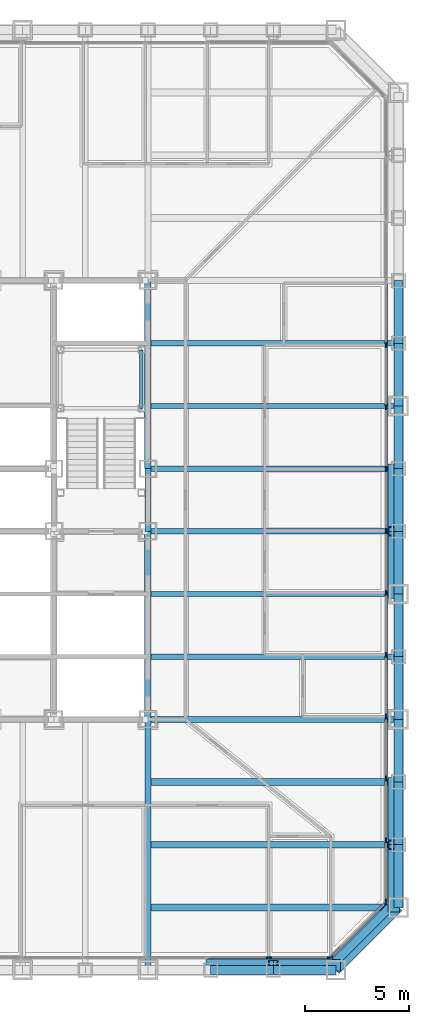
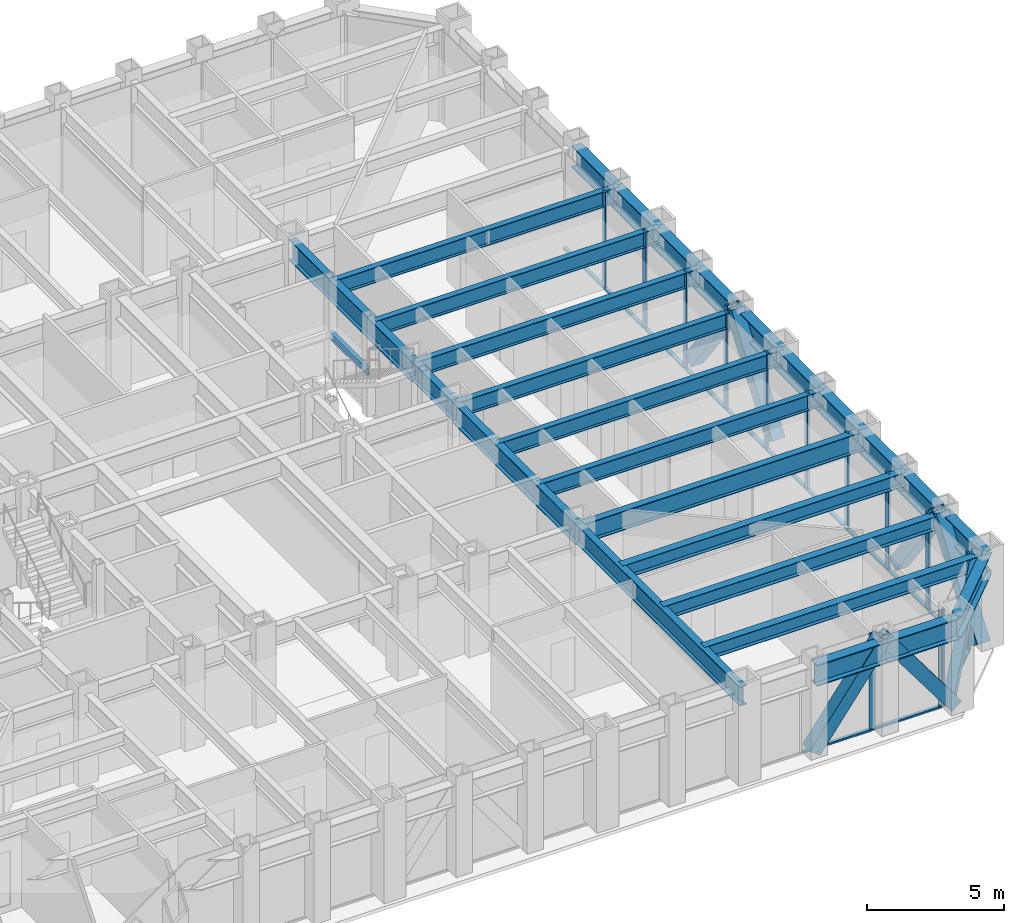
# One storey, part 4 of 17: 34 members, 28 beams, 3 elements without a shape of their own.
"""IFC4 building model written with IfcOpenShell, lengths in metres."""

from ifc_helpers import new_model, si_unit, direction, frame, origin, origin_2d, place, context, subcontext, project, spatial, rectangle, hollow_rectangle, i_section, extrude, material, layer, layer_set, material_profile, profile_set, type_object, element, aggregate, save


model = new_model("IFC4")

# Units and contexts
model_context = context("Model", 3, precision=1e-05, world=origin(), true_north=direction((0.0, 1.0)))
body_context = subcontext(model_context, "Body", "Model", "MODEL_VIEW")
ifc_project = project(units=[si_unit("LENGTHUNIT", "METRE"), si_unit("AREAUNIT", "SQUARE_METRE"), si_unit("VOLUMEUNIT", "CUBIC_METRE"), si_unit("PLANEANGLEUNIT", "RADIAN"), si_unit("MASSUNIT", "GRAM", prefix="KILO")], contexts=[model_context])

# Site, building, storey
site_placement = place(None, origin())
site = spatial("IfcSite", under=ifc_project, at=site_placement, CompositionType="ELEMENT")
building_placement = place(site_placement, origin())
building = spatial("IfcBuilding", under=site, at=building_placement, Name="Chuquiago Exchange Tower", CompositionType="ELEMENT")
storey_placement = place(building_placement, frame((0.0, 0.0, 37.800048828125)))
storey = spatial("IfcBuildingStorey", under=building, at=storey_placement, Name="L07", CompositionType="ELEMENT", Elevation=37.800048828125)

# Beams
ifc_material_1 = material(Name="Steel ASTM A992", Category="steel")
ifc_material_profile_1 = material_profile(ifc_material_1, i_section(OverallWidth=0.307373046875, OverallDepth=0.927001953125, WebThickness=0.01953125, FlangeThickness=0.031982421875, at=origin_2d()), Name="W36X194")
ifc_profile_set_1 = profile_set([ifc_material_profile_1], Name="Steel ASTM A992")
beam_type_1 = type_object("IfcBeamType", Name="B10 W36X194", PredefinedType="BEAM", material=ifc_profile_set_1)
for number, where, z_axis, x_axis, name in (
    (1, (33.0, 12.0, 3.576416015625), (0.0, 1.0, 0.0), (-1.0, 0.0, 0.0), "CB-L08-33_12-33_21"),
    (2, (33.0, 24.0, 3.576416015625), (0.0, 1.0, 0.0), (-1.0, 0.0, 0.0), "CB-L08-33_24-33_33"),
):
    element("IfcBeam", number, at=place(storey_placement, frame(where, z_axis=z_axis, x_axis=x_axis)), inside=storey, type_object=beam_type_1, Name=name, PredefinedType="BEAM", context=body_context, shape_type="SweptSolid", body=[
        extrude(i_section(OverallWidth=0.307373046875, OverallDepth=0.927001953125, WebThickness=0.01953125, FlangeThickness=0.031982421875, at=origin_2d()), origin(), (0.0, 0.0, 1.0), 9.0),
    ])
ifc_material_2 = material(Name="Steel ASTM A992", Category="steel")
ifc_material_profile_2 = material_profile(ifc_material_2, i_section(OverallWidth=0.2919921875, OverallDepth=0.8583984375, WebThickness=0.01708984375, FlangeThickness=0.031005859375, at=origin_2d()), Name="W33X169")
ifc_profile_set_2 = profile_set([ifc_material_profile_2], Name="Steel ASTM A992")
beam_type_2 = type_object("IfcBeamType", Name="B3 W33X169", PredefinedType="BEAM", material=ifc_profile_set_2)
beam_1_placement = place(storey_placement, frame((33.0, 21.0, 3.610595703125), z_axis=(0.0, 1.0, 0.0), x_axis=(-1.0, 0.0, 0.0)))
element("IfcBeam", 3, at=beam_1_placement, inside=storey, type_object=beam_type_2, Name="CB-L08-33_21-33_24", PredefinedType="BEAM", context=body_context, shape_type="SweptSolid", body=[
    extrude(i_section(OverallWidth=0.2919921875, OverallDepth=0.8583984375, WebThickness=0.01708984375, FlangeThickness=0.031005859375, at=origin_2d()), origin(), (0.0, 0.0, 1.0), 3.0),
])
ifc_material_3 = material(Name="Steel ASTM A992", Category="steel")
ifc_material_profile_3 = material_profile(ifc_material_3, i_section(OverallWidth=0.256591796875, OverallDepth=0.693359375, WebThickness=0.014404296875, FlangeThickness=0.023681640625, at=origin_2d()), Name="W27X114")
ifc_profile_set_3 = profile_set([ifc_material_profile_3], Name="Steel ASTM A992")
beam_type_3 = type_object("IfcBeamType", Name="B4 W27X114", PredefinedType="BEAM", material=ifc_profile_set_3)
for number, where, z_axis, x_axis, name in (
    (4, (33.0, 15.0, 3.693359375), (1.0, 0.0, 0.0), (0.0, 1.0, 0.0), "FB-L08-infill-33_15-45_15-0"),
    (5, (33.0, 18.0, 3.693359375), (1.0, 0.0, 0.0), (0.0, 1.0, 0.0), "FB-L08-infill-33_18-45_18-0"),
    (6, (33.0, 21.0, 3.693359375), (1.0, 0.0, 0.0), (0.0, 1.0, 0.0), "FB-L08-infill-33_21-45_21-0"),
    (7, (33.0, 24.0, 3.693359375), (1.0, 0.0, 0.0), (0.0, 1.0, 0.0), "FB-L08-infill-33_24-45_24-0"),
    (8, (33.0, 27.0, 3.693359375), (1.0, 0.0, 0.0), (0.0, 1.0, 0.0), "FB-L08-infill-33_27-45_27-0"),
    (9, (33.0, 30.0, 3.693359375), (1.0, 0.0, 0.0), (0.0, 1.0, 0.0), "FB-L08-infill-33_30-45_30-0"),
):
    element("IfcBeam", number, at=place(storey_placement, frame(where, z_axis=z_axis, x_axis=x_axis)), inside=storey, type_object=beam_type_3, Name=name, PredefinedType="BEAM", context=body_context, shape_type="SweptSolid", body=[
        extrude(i_section(OverallWidth=0.256591796875, OverallDepth=0.693359375, WebThickness=0.014404296875, FlangeThickness=0.023681640625, at=origin_2d()), origin(), (0.0, 0.0, 1.0), 12.0),
    ])
ifc_material_4 = material(Name="Steel ASTM A992", Category="steel")
ifc_material_profile_4 = material_profile(ifc_material_4, i_section(OverallWidth=0.3251953125, OverallDepth=0.6171875, WebThickness=0.013916015625, FlangeThickness=0.021484375, at=origin_2d()), Name="W24X117")
ifc_profile_set_4 = profile_set([ifc_material_profile_4], Name="Steel ASTM A992")
beam_type_4 = type_object("IfcBeamType", Name="B5 W24X117", PredefinedType="BEAM", material=ifc_profile_set_4)
for number, where, z_axis, x_axis, name in (
    (10, (33.0, 3.0, 3.7314453125), (1.0, 0.0, 0.0), (0.0, 1.0, 0.0), "FB-L08-corner-33_3-45_3-0"),
    (11, (33.0, 6.0, 3.7314453125), (1.0, 0.0, 0.0), (0.0, 1.0, 0.0), "FB-L08-corner-33_6-45_6-0"),
    (12, (33.0, 9.0, 3.7314453125), (1.0, 0.0, 0.0), (0.0, 1.0, 0.0), "FB-L08-corner-33_9-45_9-0"),
):
    element("IfcBeam", number, at=place(storey_placement, frame(where, z_axis=z_axis, x_axis=x_axis)), inside=storey, type_object=beam_type_4, Name=name, PredefinedType="BEAM", context=body_context, shape_type="SweptSolid", body=[
        extrude(i_section(OverallWidth=0.3251953125, OverallDepth=0.6171875, WebThickness=0.013916015625, FlangeThickness=0.021484375, at=origin_2d()), origin(), (0.0, 0.0, 1.0), 12.0),
    ])

# Curtain wall, members
ifc_material_5 = material(Name="Aluminium curtain wall system", Category="aluminium")
ifc_layer_1 = layer(ifc_material_5, 0.25)
ifc_layer_set_1 = layer_set([ifc_layer_1], Name="CW1 trading floor curtain wall")
curtain_wall_type_1 = type_object("IfcCurtainWallType", Name="CW1 trading floor curtain wall", PredefinedType="NOTDEFINED", material=ifc_layer_set_1)
curtain_wall_1_placement = place(storey_placement, origin())
curtain_wall_1 = element("IfcCurtainWall", 13, at=curtain_wall_1_placement, inside=storey, type_object=curtain_wall_type_1, Name="CW1 curtain wall L07", PredefinedType="NOTDEFINED")
ifc_material_6 = material(Name="Aluminium mullion, pale anodised", Category="aluminium")
ifc_material_profile_5 = material_profile(ifc_material_6, rectangle(XDim=0.074951171875, YDim=0.25, at=origin_2d()), Name="AL 75x250")
ifc_profile_set_5 = profile_set([ifc_material_profile_5], Name="Aluminium mullion, pale anodised")
member_type_1 = type_object("IfcMemberType", Name="CW1-M mullion 75x250", PredefinedType="MULLION", material=ifc_profile_set_5)
member_1_placement = place(storey_placement, frame((38.789794921875, 0.60009765625, -0.300048828125), z_axis=(0.0, 0.0, 1.0), x_axis=(0.0, 1.0, 0.0)))
member_1 = element("IfcMember", 14, at=member_1_placement, type_object=member_type_1, Name="CW1 mullion 13", PredefinedType="MULLION", context=body_context, shape_type="SweptSolid", body=[
    extrude(rectangle(XDim=0.074951171875, YDim=0.25, at=origin_2d()), origin(), (0.0, 0.0, 1.0), 4.340087890625),
])
member_2_placement = place(storey_placement, frame((41.714111328125, 0.60009765625, -0.300048828125), z_axis=(0.0, 0.0, 1.0), x_axis=(0.0, 1.0, 0.0)))
member_2 = element("IfcMember", 15, at=member_2_placement, type_object=member_type_1, Name="CW1 mullion 14", PredefinedType="MULLION", context=body_context, shape_type="SweptSolid", body=[
    extrude(rectangle(XDim=0.074951171875, YDim=0.25, at=origin_2d()), origin(), (0.0, 0.0, 1.0), 4.340087890625),
])

curtain_wall_2_placement = place(storey_placement, origin())
curtain_wall_2 = element("IfcCurtainWall", 16, at=curtain_wall_2_placement, inside=storey, type_object=curtain_wall_type_1, Name="CW1 curtain wall L07", PredefinedType="NOTDEFINED")
member_3_placement = place(storey_placement, frame((44.39990234375, 3.285888671875, -0.300048828125), z_axis=(0.0, 0.0, 1.0), x_axis=(-1.0, 0.0, 0.0)))
member_3 = element("IfcMember", 17, at=member_3_placement, type_object=member_type_1, Name="CW1 mullion 1", PredefinedType="MULLION", context=body_context, shape_type="SweptSolid", body=[
    extrude(rectangle(XDim=0.074951171875, YDim=0.25, at=origin_2d()), origin(), (0.0, 0.0, 1.0), 4.340087890625),
])
member_4_placement = place(storey_placement, frame((44.39990234375, 6.210205078125, -0.300048828125), z_axis=(0.0, 0.0, 1.0), x_axis=(-1.0, 0.0, 0.0)))
member_4 = element("IfcMember", 18, at=member_4_placement, type_object=member_type_1, Name="CW1 mullion 2", PredefinedType="MULLION", context=body_context, shape_type="SweptSolid", body=[
    extrude(rectangle(XDim=0.074951171875, YDim=0.25, at=origin_2d()), origin(), (0.0, 0.0, 1.0), 4.340087890625),
])
member_5_placement = place(storey_placement, frame((44.39990234375, 9.172119140625, -0.300048828125), z_axis=(0.0, 0.0, 1.0), x_axis=(-1.0, 0.0, 0.0)))
member_5 = element("IfcMember", 19, at=member_5_placement, type_object=member_type_1, Name="CW1 mullion 3", PredefinedType="MULLION", context=body_context, shape_type="SweptSolid", body=[
    extrude(rectangle(XDim=0.074951171875, YDim=0.25, at=origin_2d()), origin(), (0.0, 0.0, 1.0), 4.340087890625),
])
member_6_placement = place(storey_placement, frame((44.39990234375, 12.1337890625, -0.300048828125), z_axis=(0.0, 0.0, 1.0), x_axis=(-1.0, 0.0, 0.0)))
member_6 = element("IfcMember", 20, at=member_6_placement, type_object=member_type_1, Name="CW1 mullion 4", PredefinedType="MULLION", context=body_context, shape_type="SweptSolid", body=[
    extrude(rectangle(XDim=0.074951171875, YDim=0.25, at=origin_2d()), origin(), (0.0, 0.0, 1.0), 4.340087890625),
])
member_7_placement = place(storey_placement, frame((44.39990234375, 15.095458984375, -0.300048828125), z_axis=(0.0, 0.0, 1.0), x_axis=(-1.0, 0.0, 0.0)))
member_7 = element("IfcMember", 21, at=member_7_placement, type_object=member_type_1, Name="CW1 mullion 5", PredefinedType="MULLION", context=body_context, shape_type="SweptSolid", body=[
    extrude(rectangle(XDim=0.074951171875, YDim=0.25, at=origin_2d()), origin(), (0.0, 0.0, 1.0), 4.340087890625),
])
member_8_placement = place(storey_placement, frame((44.39990234375, 18.057373046875, -0.300048828125), z_axis=(0.0, 0.0, 1.0), x_axis=(-1.0, 0.0, 0.0)))
member_8 = element("IfcMember", 22, at=member_8_placement, type_object=member_type_1, Name="CW1 mullion 6", PredefinedType="MULLION", context=body_context, shape_type="SweptSolid", body=[
    extrude(rectangle(XDim=0.074951171875, YDim=0.25, at=origin_2d()), origin(), (0.0, 0.0, 1.0), 4.340087890625),
])
member_9_placement = place(storey_placement, frame((44.39990234375, 21.01904296875, -0.300048828125), z_axis=(0.0, 0.0, 1.0), x_axis=(-1.0, 0.0, 0.0)))
member_9 = element("IfcMember", 23, at=member_9_placement, type_object=member_type_1, Name="CW1 mullion 7", PredefinedType="MULLION", context=body_context, shape_type="SweptSolid", body=[
    extrude(rectangle(XDim=0.074951171875, YDim=0.25, at=origin_2d()), origin(), (0.0, 0.0, 1.0), 4.340087890625),
])
member_10_placement = place(storey_placement, frame((44.39990234375, 23.98095703125, -0.300048828125), z_axis=(0.0, 0.0, 1.0), x_axis=(-1.0, 0.0, 0.0)))
member_10 = element("IfcMember", 24, at=member_10_placement, type_object=member_type_1, Name="CW1 mullion 8", PredefinedType="MULLION", context=body_context, shape_type="SweptSolid", body=[
    extrude(rectangle(XDim=0.074951171875, YDim=0.25, at=origin_2d()), origin(), (0.0, 0.0, 1.0), 4.340087890625),
])
member_11_placement = place(storey_placement, frame((44.39990234375, 26.942626953125, -0.300048828125), z_axis=(0.0, 0.0, 1.0), x_axis=(-1.0, 0.0, 0.0)))
member_11 = element("IfcMember", 25, at=member_11_placement, type_object=member_type_1, Name="CW1 mullion 9", PredefinedType="MULLION", context=body_context, shape_type="SweptSolid", body=[
    extrude(rectangle(XDim=0.074951171875, YDim=0.25, at=origin_2d()), origin(), (0.0, 0.0, 1.0), 4.340087890625),
])
member_12_placement = place(storey_placement, frame((44.39990234375, 29.904541015625, -0.300048828125), z_axis=(0.0, 0.0, 1.0), x_axis=(-1.0, 0.0, 0.0)))
member_12 = element("IfcMember", 26, at=member_12_placement, type_object=member_type_1, Name="CW1 mullion 10", PredefinedType="MULLION", context=body_context, shape_type="SweptSolid", body=[
    extrude(rectangle(XDim=0.074951171875, YDim=0.25, at=origin_2d()), origin(), (0.0, 0.0, 1.0), 4.340087890625),
])

# Member
ifc_material_7 = material(Name="Aluminium transom, pale anodised", Category="aluminium")
ifc_material_profile_6 = material_profile(ifc_material_7, rectangle(XDim=0.14990234375, YDim=0.074951171875, at=origin_2d()), Name="AL 150x75")
ifc_profile_set_6 = profile_set([ifc_material_profile_6], Name="Aluminium transom, pale anodised")
member_type_2 = type_object("IfcMemberType", Name="CW1-T transom 75x150", PredefinedType="MULLION", material=ifc_profile_set_6)
member_13_placement = place(storey_placement, frame((35.865478515625, 0.60009765625, -0.262451171875), z_axis=(1.0, 0.0, 0.0), x_axis=(0.0, 1.0, 0.0)))
member_13 = element("IfcMember", 27, at=member_13_placement, type_object=member_type_2, Name="CW1 transom 12.1", PredefinedType="MULLION", context=body_context, shape_type="SweptSolid", body=[
    extrude(rectangle(XDim=0.14990234375, YDim=0.074951171875, at=origin_2d()), origin(), (0.0, 0.0, 1.0), 2.88671875),
])

member_14_placement = place(storey_placement, frame((38.8271484375, 0.60009765625, -0.262451171875), z_axis=(1.0, 0.0, 0.0), x_axis=(0.0, 1.0, 0.0)))
member_14 = element("IfcMember", 28, at=member_14_placement, type_object=member_type_2, Name="CW1 transom 13.1", PredefinedType="MULLION", context=body_context, shape_type="SweptSolid", body=[
    extrude(rectangle(XDim=0.14990234375, YDim=0.074951171875, at=origin_2d()), origin(), (0.0, 0.0, 1.0), 2.849365234375),
])

aggregate(curtain_wall_1, [member_1, member_2, member_13, member_14])

member_15_placement = place(storey_placement, frame((44.39990234375, 3.323486328125, -0.262451171875), z_axis=(0.0, 1.0, 0.0), x_axis=(-1.0, 0.0, 0.0)))
member_15 = element("IfcMember", 29, at=member_15_placement, type_object=member_type_2, Name="CW1 transom 1.1", PredefinedType="MULLION", context=body_context, shape_type="SweptSolid", body=[
    extrude(rectangle(XDim=0.14990234375, YDim=0.074951171875, at=origin_2d()), origin(), (0.0, 0.0, 1.0), 2.849365234375),
])

member_16_placement = place(storey_placement, frame((44.39990234375, 6.247802734375, -0.262451171875), z_axis=(0.0, 1.0, 0.0), x_axis=(-1.0, 0.0, 0.0)))
member_16 = element("IfcMember", 30, at=member_16_placement, type_object=member_type_2, Name="CW1 transom 2.1", PredefinedType="MULLION", context=body_context, shape_type="SweptSolid", body=[
    extrude(rectangle(XDim=0.14990234375, YDim=0.074951171875, at=origin_2d()), origin(), (0.0, 0.0, 1.0), 2.88671875),
])

member_17_placement = place(storey_placement, frame((44.39990234375, 9.20947265625, -0.262451171875), z_axis=(0.0, 1.0, 0.0), x_axis=(-1.0, 0.0, 0.0)))
member_17 = element("IfcMember", 31, at=member_17_placement, type_object=member_type_2, Name="CW1 transom 3.1", PredefinedType="MULLION", context=body_context, shape_type="SweptSolid", body=[
    extrude(rectangle(XDim=0.14990234375, YDim=0.074951171875, at=origin_2d()), origin(), (0.0, 0.0, 1.0), 2.88671875),
])

member_18_placement = place(storey_placement, frame((44.39990234375, 12.17138671875, -0.262451171875), z_axis=(0.0, 1.0, 0.0), x_axis=(-1.0, 0.0, 0.0)))
member_18 = element("IfcMember", 32, at=member_18_placement, type_object=member_type_2, Name="CW1 transom 4.1", PredefinedType="MULLION", context=body_context, shape_type="SweptSolid", body=[
    extrude(rectangle(XDim=0.14990234375, YDim=0.074951171875, at=origin_2d()), origin(), (0.0, 0.0, 1.0), 2.88671875),
])

member_19_placement = place(storey_placement, frame((44.39990234375, 15.133056640625, -0.262451171875), z_axis=(0.0, 1.0, 0.0), x_axis=(-1.0, 0.0, 0.0)))
member_19 = element("IfcMember", 33, at=member_19_placement, type_object=member_type_2, Name="CW1 transom 5.1", PredefinedType="MULLION", context=body_context, shape_type="SweptSolid", body=[
    extrude(rectangle(XDim=0.14990234375, YDim=0.074951171875, at=origin_2d()), origin(), (0.0, 0.0, 1.0), 2.88671875),
])

member_20_placement = place(storey_placement, frame((44.39990234375, 18.0947265625, -0.262451171875), z_axis=(0.0, 1.0, 0.0), x_axis=(-1.0, 0.0, 0.0)))
member_20 = element("IfcMember", 34, at=member_20_placement, type_object=member_type_2, Name="CW1 transom 6.1", PredefinedType="MULLION", context=body_context, shape_type="SweptSolid", body=[
    extrude(rectangle(XDim=0.14990234375, YDim=0.074951171875, at=origin_2d()), origin(), (0.0, 0.0, 1.0), 2.886962890625),
])

member_21_placement = place(storey_placement, frame((44.39990234375, 21.056640625, -0.262451171875), z_axis=(0.0, 1.0, 0.0), x_axis=(-1.0, 0.0, 0.0)))
member_21 = element("IfcMember", 35, at=member_21_placement, type_object=member_type_2, Name="CW1 transom 7.1", PredefinedType="MULLION", context=body_context, shape_type="SweptSolid", body=[
    extrude(rectangle(XDim=0.14990234375, YDim=0.074951171875, at=origin_2d()), origin(), (0.0, 0.0, 1.0), 2.88671875),
])

member_22_placement = place(storey_placement, frame((44.39990234375, 24.018310546875, -0.262451171875), z_axis=(0.0, 1.0, 0.0), x_axis=(-1.0, 0.0, 0.0)))
member_22 = element("IfcMember", 36, at=member_22_placement, type_object=member_type_2, Name="CW1 transom 8.1", PredefinedType="MULLION", context=body_context, shape_type="SweptSolid", body=[
    extrude(rectangle(XDim=0.14990234375, YDim=0.074951171875, at=origin_2d()), origin(), (0.0, 0.0, 1.0), 2.886962890625),
])

member_23_placement = place(storey_placement, frame((44.39990234375, 26.980224609375, -0.262451171875), z_axis=(0.0, 1.0, 0.0), x_axis=(-1.0, 0.0, 0.0)))
member_23 = element("IfcMember", 37, at=member_23_placement, type_object=member_type_2, Name="CW1 transom 9.1", PredefinedType="MULLION", context=body_context, shape_type="SweptSolid", body=[
    extrude(rectangle(XDim=0.14990234375, YDim=0.074951171875, at=origin_2d()), origin(), (0.0, 0.0, 1.0), 2.88671875),
])

member_24_placement = place(storey_placement, frame((44.39990234375, 29.94189453125, -0.262451171875), z_axis=(0.0, 1.0, 0.0), x_axis=(-1.0, 0.0, 0.0)))
member_24 = element("IfcMember", 38, at=member_24_placement, type_object=member_type_2, Name="CW1 transom 10.1", PredefinedType="MULLION", context=body_context, shape_type="SweptSolid", body=[
    extrude(rectangle(XDim=0.14990234375, YDim=0.074951171875, at=origin_2d()), origin(), (0.0, 0.0, 1.0), 2.88671875),
])

aggregate(curtain_wall_2, [member_3, member_4, member_5, member_6, member_7, member_8, member_9, member_10, member_11, member_12, member_15, member_16, member_17, member_18, member_19, member_20, member_21, member_22, member_23, member_24])

# Curtain wall, members
ifc_material_8 = material(Name="Aluminium curtain wall system", Category="aluminium")
ifc_layer_2 = layer(ifc_material_8, 0.199951171875)
ifc_layer_set_2 = layer_set([ifc_layer_2], Name="CW3 facet curtain wall")
curtain_wall_type_2 = type_object("IfcCurtainWallType", Name="CW3 facet curtain wall", PredefinedType="NOTDEFINED", material=ifc_layer_set_2)
curtain_wall_3_placement = place(storey_placement, origin())
curtain_wall_3 = element("IfcCurtainWall", 39, at=curtain_wall_3_placement, inside=storey, type_object=curtain_wall_type_2, Name="CW3 curtain wall L07", PredefinedType="NOTDEFINED")
ifc_material_9 = material(Name="Aluminium mullion, pale anodised", Category="aluminium")
ifc_material_profile_7 = material_profile(ifc_material_9, rectangle(XDim=0.06494140625, YDim=0.199951171875, at=origin_2d()), Name="AL 65x200")
ifc_profile_set_7 = profile_set([ifc_material_profile_7], Name="Aluminium mullion, pale anodised")
member_type_3 = type_object("IfcMemberType", Name="CW3-M mullion 65x200", PredefinedType="MULLION", material=ifc_profile_set_7)
member_25_placement = place(storey_placement, frame((41.7744140625, 0.623046875, -0.300048828125), z_axis=(0.0, 0.0, 1.0), x_axis=(-0.707106781187, 0.707106781187, 0.0)))
member_25 = element("IfcMember", 40, at=member_25_placement, type_object=member_type_3, Name="CW3 mullion 1", PredefinedType="MULLION", context=body_context, shape_type="SweptSolid", body=[
    extrude(rectangle(XDim=0.06494140625, YDim=0.199951171875, at=origin_2d()), origin(), (0.0, 0.0, 1.0), 4.340087890625),
])
member_26_placement = place(storey_placement, frame((44.376953125, 3.2255859375, -0.300048828125), z_axis=(0.0, 0.0, 1.0), x_axis=(-0.707106781187, 0.707106781187, 0.0)))
member_26 = element("IfcMember", 41, at=member_26_placement, type_object=member_type_3, Name="CW3 mullion 2", PredefinedType="MULLION", context=body_context, shape_type="SweptSolid", body=[
    extrude(rectangle(XDim=0.06494140625, YDim=0.199951171875, at=origin_2d()), origin(), (0.0, 0.0, 1.0), 4.340087890625),
])
ifc_material_10 = material(Name="Aluminium transom, pale anodised", Category="aluminium")
ifc_material_profile_8 = material_profile(ifc_material_10, rectangle(XDim=0.139892578125, YDim=0.06494140625, at=origin_2d()), Name="AL 140x65")
ifc_profile_set_8 = profile_set([ifc_material_profile_8], Name="Aluminium transom, pale anodised")
member_type_4 = type_object("IfcMemberType", Name="CW3-T transom 65x140", PredefinedType="MULLION", material=ifc_profile_set_8)
member_27_placement = place(storey_placement, frame((41.79736328125, 0.64599609375, -0.267578125), z_axis=(0.707106781187, 0.707106781187, 0.0), x_axis=(-0.707106781187, 0.707106781187, 0.0)))
member_27 = element("IfcMember", 42, at=member_27_placement, type_object=member_type_4, Name="CW3 transom 1.1", PredefinedType="MULLION", context=body_context, shape_type="SweptSolid", body=[
    extrude(rectangle(XDim=0.139892578125, YDim=0.06494140625, at=origin_2d()), origin(), (0.0, 0.0, 1.0), 3.61572265625),
])
aggregate(curtain_wall_3, [member_25, member_26, member_27])

# Beams
ifc_material_11 = material(Name="Steel ASTM A992", Category="steel")
ifc_material_profile_9 = material_profile(ifc_material_11, i_section(OverallWidth=0.2919921875, OverallDepth=0.8583984375, WebThickness=0.01708984375, FlangeThickness=0.031005859375, at=origin_2d()), Name="W33X169")
ifc_profile_set_9 = profile_set([ifc_material_profile_9], Name="Steel ASTM A992")
beam_type_5 = type_object("IfcBeamType", Name="G2 W33X169", PredefinedType="BEAM", material=ifc_profile_set_9)
for number, where, z_axis, x_axis, name in (
    (43, (33.0, 12.0, 3.610595703125), (0.0, -1.0, 0.0), (1.0, 0.0, 0.0), "FB-L08-girder-33_12-33_-0-0"),
    (44, (33.0, 12.0, 3.610595703125), (1.0, 0.0, 0.0), (0.0, 1.0, 0.0), "FB-L08-girder-33_12-45_12-0"),
):
    element("IfcBeam", number, at=place(storey_placement, frame(where, z_axis=z_axis, x_axis=x_axis)), inside=storey, type_object=beam_type_5, Name=name, PredefinedType="BEAM", context=body_context, shape_type="SweptSolid", body=[
        extrude(i_section(OverallWidth=0.2919921875, OverallDepth=0.8583984375, WebThickness=0.01708984375, FlangeThickness=0.031005859375, at=origin_2d()), origin(), (0.0, 0.0, 1.0), 12.0),
    ])

# Member
ifc_material_12 = material(Name="Steel ASTM A500 Grade C", Category="steel")
ifc_material_profile_10 = material_profile(ifc_material_12, hollow_rectangle(XDim=0.406494140625, YDim=0.406494140625, WallThickness=0.0146484375, at=origin_2d()), Name="HSS16X16X5/8")
ifc_profile_set_10 = profile_set([ifc_material_profile_10], Name="Steel ASTM A500 Grade C")
member_type_5 = type_object("IfcMemberType", Name="LB4 HSS16X16X5/8", PredefinedType="BRACE", material=ifc_profile_set_10)
member_28_placement = place(storey_placement, frame((41.78662109375, 0.21337890625, 0.0), z_axis=(0.512077265487, 0.512077265487, 0.689604051861), x_axis=(-0.707106781187, 0.707106781187, 0.0)))
element("IfcMember", 45, at=member_28_placement, inside=storey, type_object=member_type_5, Name="LB-L07-42_0-45_3", PredefinedType="BRACE", context=body_context, shape_type="SweptSolid", body=[
    extrude(hollow_rectangle(XDim=0.406494140625, YDim=0.406494140625, WallThickness=0.0146484375, at=origin_2d()), origin(), (0.0, 0.0, 1.0), 5.8583984375),
])

# Beam
ifc_material_13 = material(Name="Steel ASTM A992", Category="steel")
ifc_material_profile_11 = material_profile(ifc_material_13, i_section(OverallWidth=0.164794921875, OverallDepth=0.309814453125, WebThickness=0.005859375, FlangeThickness=0.009765625, at=origin_2d()), Name="W12X26")
ifc_profile_set_11 = profile_set([ifc_material_profile_11], Name="Steel ASTM A992")
beam_type_6 = type_object("IfcBeamType", Name="LS1 W12X26", PredefinedType="BEAM", material=ifc_profile_set_11)
beam_2_placement = place(storey_placement, frame((32.68994140625, 26.889892578125, 1.89501953125), z_axis=(0.0, 1.0, 0.0), x_axis=(-1.0, 0.0, 0.0)))
element("IfcBeam", 46, at=beam_2_placement, inside=storey, type_object=beam_type_6, Name="Stair ST2 L07 landing 1 stringer", PredefinedType="BEAM", context=body_context, shape_type="SweptSolid", body=[
    extrude(i_section(OverallWidth=0.164794921875, OverallDepth=0.309814453125, WebThickness=0.005859375, FlangeThickness=0.009765625, at=origin_2d()), origin(), (0.0, 0.0, 1.0), 2.800048828125),
])

# Members
ifc_material_14 = material(Name="Steel ASTM A572 Grade 50", Category="steel")
ifc_material_profile_12 = material_profile(ifc_material_14, hollow_rectangle(XDim=0.550048828125, YDim=0.550048828125, WallThickness=0.044921875, at=origin_2d()), Name="BOX550X550X45")
ifc_profile_set_12 = profile_set([ifc_material_profile_12], Name="Steel ASTM A572 Grade 50")
member_type_6 = type_object("IfcMemberType", Name="MB1 BOX550X550X45", PredefinedType="BRACE", material=ifc_profile_set_12)
for number, where, z_axis, x_axis, name in (
    (47, (36.0, 0.22998046875, 0.0), (0.596173923302, 0.0, 0.802855312728), (0.0, 1.0, 0.0), "Mega diagonal L07 S face"),
    (48, (42.0, 0.22998046875, 0.0), (-0.596173923302, 0.0, 0.802855312728), (0.0, -1.0, 0.0), "Mega diagonal L07 S face"),
    (49, (44.77001953125, 3.0, 0.0), (0.0, 0.596173923302, 0.802855312728), (-1.0, 0.0, 0.0), "Mega diagonal L07 E face"),
    (50, (44.77001953125, 9.0, 0.0), (0.0, -0.596173923302, 0.802855312728), (1.0, 0.0, 0.0), "Mega diagonal L07 E face"),
    (51, (44.77001953125, 18.0, 0.0), (0.0, 0.596173923302, 0.802855312728), (-1.0, 0.0, 0.0), "Mega diagonal L07 E face"),
    (52, (44.77001953125, 24.0, 0.0), (0.0, -0.596173923302, 0.802855312728), (1.0, 0.0, 0.0), "Mega diagonal L07 E face"),
):
    element("IfcMember", number, at=place(storey_placement, frame(where, z_axis=z_axis, x_axis=x_axis)), inside=storey, type_object=member_type_6, Name=name, PredefinedType="BRACE", context=body_context, shape_type="SweptSolid", body=[
        extrude(hollow_rectangle(XDim=0.550048828125, YDim=0.550048828125, WallThickness=0.044921875, at=origin_2d()), origin(), (0.0, 0.0, 1.0), 5.031982421875),
    ])

# Beams
ifc_material_15 = material(Name="Steel ASTM A992", Category="steel")
ifc_material_profile_13 = material_profile(ifc_material_15, i_section(OverallWidth=0.424072265625, OverallDepth=0.947509765625, WebThickness=0.02392578125, FlangeThickness=0.042724609375, at=origin_2d()), Name="W36X302")
ifc_profile_set_13 = profile_set([ifc_material_profile_13], Name="Steel ASTM A992")
beam_type_7 = type_object("IfcBeamType", Name="SP1 W36X302", PredefinedType="SPANDREL", material=ifc_profile_set_13)
for number, where, z_axis, x_axis, name in (
    (53, (36.0, 0.0, 3.566162109375), (1.0, 0.0, 0.0), (0.0, 1.0, 0.0), "SPB-L08-36_0-39_0"),
    (54, (39.0, 0.0, 3.566162109375), (1.0, 0.0, 0.0), (0.0, 1.0, 0.0), "SPB-L08-39_0-42_0"),
):
    element("IfcBeam", number, at=place(storey_placement, frame(where, z_axis=z_axis, x_axis=x_axis)), inside=storey, type_object=beam_type_7, Name=name, PredefinedType="SPANDREL", context=body_context, shape_type="SweptSolid", body=[
        extrude(i_section(OverallWidth=0.424072265625, OverallDepth=0.947509765625, WebThickness=0.02392578125, FlangeThickness=0.042724609375, at=origin_2d()), origin(), (0.0, 0.0, 1.0), 3.0),
    ])
beam_3_placement = place(storey_placement, frame((42.0, 0.0, 3.566162109375), z_axis=(0.707106781187, 0.707106781187, 0.0), x_axis=(-0.707106781187, 0.707106781187, 0.0)))
element("IfcBeam", 55, at=beam_3_placement, inside=storey, type_object=beam_type_7, Name="SPB-L08-42_0-45_3", PredefinedType="SPANDREL", context=body_context, shape_type="SweptSolid", body=[
    extrude(i_section(OverallWidth=0.424072265625, OverallDepth=0.947509765625, WebThickness=0.02392578125, FlangeThickness=0.042724609375, at=origin_2d()), origin(), (0.0, 0.0, 1.0), 4.24267578125),
])
for number, where, z_axis, x_axis, name in (
    (56, (45.0, 3.0, 3.566162109375), (0.0, 1.0, 0.0), (-1.0, 0.0, 0.0), "SPB-L08-45_3-45_6"),
    (57, (45.0, 6.0, 3.566162109375), (0.0, 1.0, 0.0), (-1.0, 0.0, 0.0), "SPB-L08-45_6-45_9"),
    (58, (45.0, 9.0, 3.566162109375), (0.0, 1.0, 0.0), (-1.0, 0.0, 0.0), "SPB-L08-45_9-45_12"),
    (59, (45.0, 12.0, 3.566162109375), (0.0, 1.0, 0.0), (-1.0, 0.0, 0.0), "SPB-L08-45_12-45_15"),
    (60, (45.0, 15.0, 3.566162109375), (0.0, 1.0, 0.0), (-1.0, 0.0, 0.0), "SPB-L08-45_15-45_18"),
    (61, (45.0, 18.0, 3.566162109375), (0.0, 1.0, 0.0), (-1.0, 0.0, 0.0), "SPB-L08-45_18-45_21"),
    (62, (45.0, 21.0, 3.566162109375), (0.0, 1.0, 0.0), (-1.0, 0.0, 0.0), "SPB-L08-45_21-45_24"),
    (63, (45.0, 24.0, 3.566162109375), (0.0, 1.0, 0.0), (-1.0, 0.0, 0.0), "SPB-L08-45_24-45_27"),
    (64, (45.0, 27.0, 3.566162109375), (0.0, 1.0, 0.0), (-1.0, 0.0, 0.0), "SPB-L08-45_27-45_30"),
    (65, (45.0, 30.0, 3.566162109375), (0.0, 1.0, 0.0), (-1.0, 0.0, 0.0), "SPB-L08-45_30-45_33"),
):
    element("IfcBeam", number, at=place(storey_placement, frame(where, z_axis=z_axis, x_axis=x_axis)), inside=storey, type_object=beam_type_7, Name=name, PredefinedType="SPANDREL", context=body_context, shape_type="SweptSolid", body=[
        extrude(i_section(OverallWidth=0.424072265625, OverallDepth=0.947509765625, WebThickness=0.02392578125, FlangeThickness=0.042724609375, at=origin_2d()), origin(), (0.0, 0.0, 1.0), 3.0),
    ])

save(model, "model.ifc")
